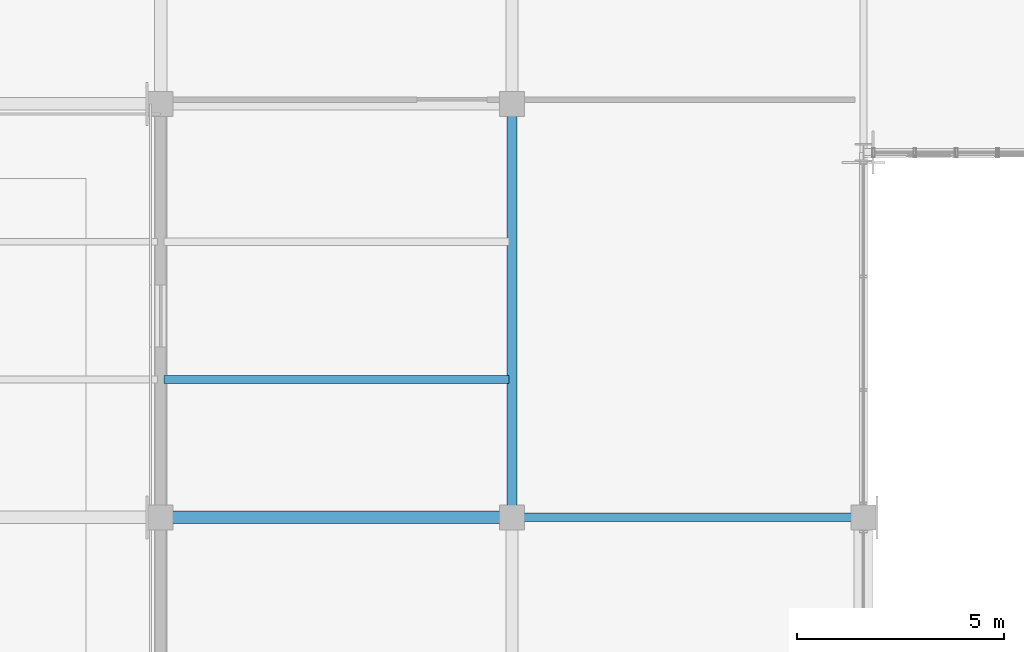
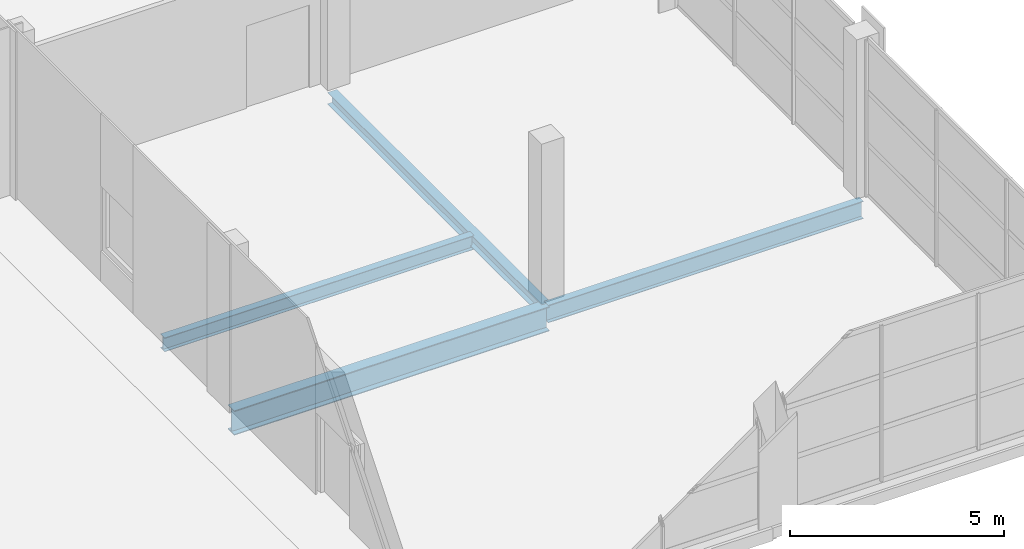
# One storey, part 10 of 46: 4 beams.
"""IFC4 building model written with IfcOpenShell, lengths in metres."""

from ifc_helpers import new_model, si_unit, direction, frame, origin, origin_2d, place, context, subcontext, project, spatial, i_section, extrude, material, material_profile, profile_set, type_object, element, save


model = new_model("IFC4")

# Units and contexts
model_context = context("Model", 3, precision=1e-05, world=origin(), true_north=direction((0.0, 1.0)))
body_context = subcontext(model_context, "Body", "Model", "MODEL_VIEW")
ifc_project = project(units=[si_unit("LENGTHUNIT", "METRE"), si_unit("AREAUNIT", "SQUARE_METRE"), si_unit("VOLUMEUNIT", "CUBIC_METRE"), si_unit("PLANEANGLEUNIT", "RADIAN"), si_unit("MASSUNIT", "GRAM", prefix="KILO")], contexts=[model_context])

# Site, building, storey
site_placement = place(None, origin())
site = spatial("IfcSite", under=ifc_project, at=site_placement, CompositionType="ELEMENT")
building_placement = place(site_placement, origin())
building = spatial("IfcBuilding", under=site, at=building_placement, Name="Solvikara Media Centre", CompositionType="ELEMENT")
storey_placement = place(building_placement, frame((0.0, 0.0, 24.60009765625)))
storey = spatial("IfcBuildingStorey", under=building, at=storey_placement, Name="L05", CompositionType="ELEMENT", Elevation=24.60009765625)

# Beams
ifc_material = material(Name="Steel S355JR", Category="steel")
ifc_material_profile_1 = material_profile(ifc_material, i_section(OverallWidth=0.300048828125, OverallDepth=0.699951171875, WebThickness=0.012939453125, FlangeThickness=0.02392578125, at=origin_2d()), Name="WF 700x300x13x24")
ifc_profile_set_1 = profile_set([ifc_material_profile_1], Name="Steel S355JR")
beam_type_1 = type_object("IfcBeamType", Name="BM-17", PredefinedType="BEAM", material=ifc_profile_set_1)
beam_1_placement = place(storey_placement, frame((51.0, 10.5, -0.632080078125), z_axis=(1.0, 0.0, 0.0), x_axis=(0.0, 1.0, 0.0)))
element("IfcBeam", 1, at=beam_1_placement, inside=storey, type_object=beam_type_1, Name="B-L05-X1640", PredefinedType="BEAM", context=body_context, shape_type="SweptSolid", body=[
    extrude(i_section(OverallWidth=0.300048828125, OverallDepth=0.699951171875, WebThickness=0.012939453125, FlangeThickness=0.02392578125, at=origin_2d()), origin(), (0.0, 0.0, 1.0), 8.5),
])
ifc_material_profile_2 = material_profile(ifc_material, i_section(OverallWidth=0.199951171875, OverallDepth=0.5, WebThickness=0.010009765625, FlangeThickness=0.01611328125, at=origin_2d()), Name="WF 500x200x10x16")
ifc_profile_set_2 = profile_set([ifc_material_profile_2], Name="Steel S355JR")
beam_type_2 = type_object("IfcBeamType", Name="BM-19", PredefinedType="BEAM", material=ifc_profile_set_2)
beam_2_placement = place(storey_placement, frame((59.5, 10.5, -0.531982421875), z_axis=(1.0, 0.0, 0.0), x_axis=(0.0, 1.0, 0.0)))
element("IfcBeam", 2, at=beam_2_placement, inside=storey, type_object=beam_type_2, Name="B-L05-X1641", PredefinedType="BEAM", context=body_context, shape_type="SweptSolid", body=[
    extrude(i_section(OverallWidth=0.199951171875, OverallDepth=0.5, WebThickness=0.010009765625, FlangeThickness=0.01611328125, at=origin_2d()), origin(), (0.0, 0.0, 1.0), 8.5),
])
ifc_material_profile_3 = material_profile(ifc_material, i_section(OverallWidth=0.25, OverallDepth=0.340087890625, WebThickness=0.009033203125, FlangeThickness=0.013916015625, at=origin_2d()), Name="H 340x250x9x14")
ifc_profile_set_3 = profile_set([ifc_material_profile_3], Name="Steel S355JR")
beam_type_3 = type_object("IfcBeamType", Name="BM-30", PredefinedType="BEAM", material=ifc_profile_set_3)
beam_3_placement = place(storey_placement, frame((59.5, 10.5, -0.4521484375), z_axis=(0.0, 1.0, 0.0), x_axis=(-1.0, 0.0, 0.0)))
element("IfcBeam", 3, at=beam_3_placement, inside=storey, type_object=beam_type_3, Name="B-L05-Y1662", PredefinedType="BEAM", context=body_context, shape_type="SweptSolid", body=[
    extrude(i_section(OverallWidth=0.25, OverallDepth=0.340087890625, WebThickness=0.009033203125, FlangeThickness=0.013916015625, at=origin_2d()), origin(), (0.0, 0.0, 1.0), 10.0),
])
ifc_material_profile_4 = material_profile(ifc_material, i_section(OverallWidth=0.198974609375, OverallDepth=0.39599609375, WebThickness=0.007080078125, FlangeThickness=0.010986328125, at=origin_2d()), Name="WF 396x199x7x11")
ifc_profile_set_4 = profile_set([ifc_material_profile_4], Name="Steel S355JR")
beam_type_4 = type_object("IfcBeamType", Name="BM-37", PredefinedType="JOIST", material=ifc_profile_set_4)
beam_4_placement = place(storey_placement, frame((51.077880859375, 13.8330078125, -0.47998046875), z_axis=(1.0, 0.0, 0.0), x_axis=(0.0, 1.0, 0.0)))
element("IfcBeam", 4, at=beam_4_placement, inside=storey, type_object=beam_type_4, Name="J-L05-1685", PredefinedType="JOIST", context=body_context, shape_type="SweptSolid", body=[
    extrude(i_section(OverallWidth=0.198974609375, OverallDepth=0.39599609375, WebThickness=0.007080078125, FlangeThickness=0.010986328125, at=origin_2d()), origin(), (0.0, 0.0, 1.0), 8.34423828125),
])

save(model, "model.ifc")
